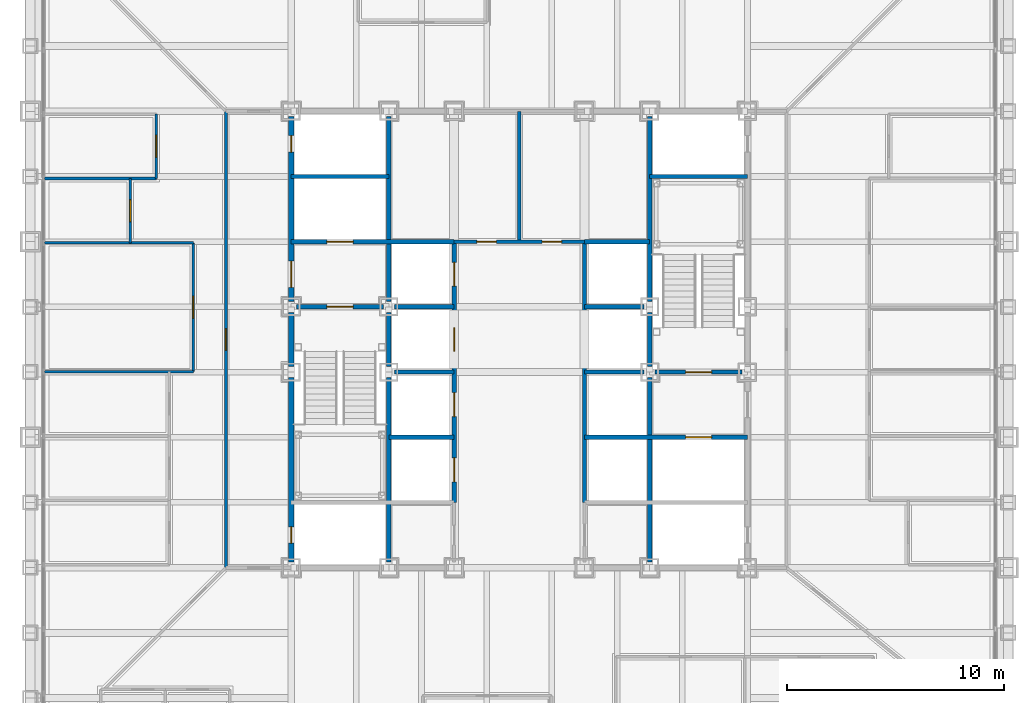
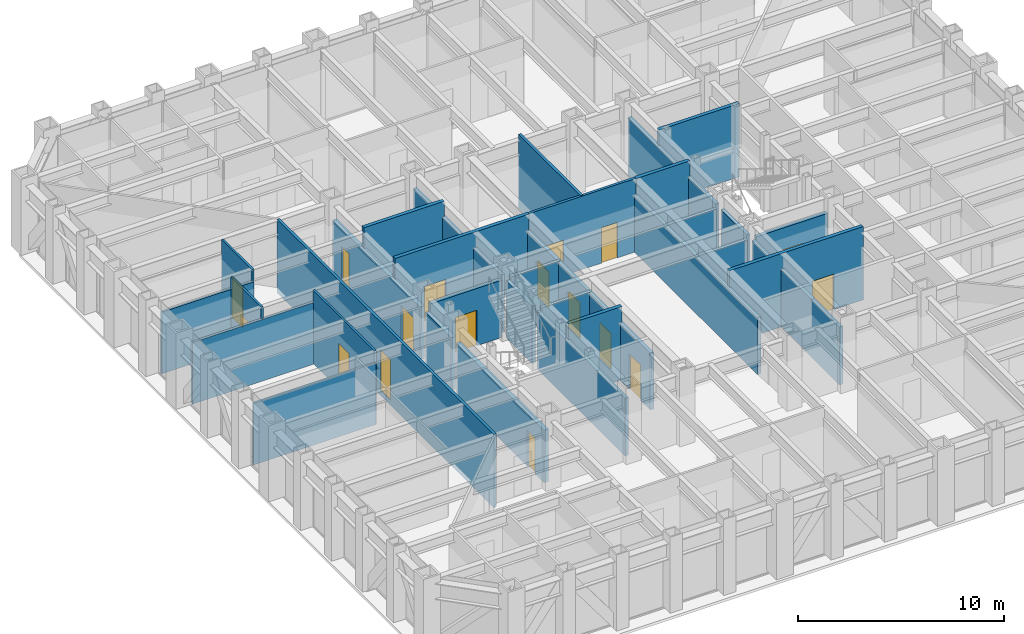
# One storey, part 9 of 17: 32 walls, 17 doors, 17 openings.
"""IFC4 building model written with IfcOpenShell, lengths in metres."""

from ifc_helpers import new_model, si_unit, direction, frame, frame_2d, origin, place, context, subcontext, project, spatial, rectangle, extrude, material, layer, layer_set, type_object, element, fill, save


model = new_model("IFC4")

# Units and contexts
model_context = context("Model", 3, precision=1e-05, world=origin(), true_north=direction((0.0, 1.0)))
body_context = subcontext(model_context, "Body", "Model", "MODEL_VIEW")
ifc_project = project(units=[si_unit("LENGTHUNIT", "METRE"), si_unit("AREAUNIT", "SQUARE_METRE"), si_unit("VOLUMEUNIT", "CUBIC_METRE"), si_unit("PLANEANGLEUNIT", "RADIAN"), si_unit("MASSUNIT", "GRAM", prefix="KILO")], contexts=[model_context])

# Site, building, storey
site_placement = place(None, origin())
site = spatial("IfcSite", under=ifc_project, at=site_placement, CompositionType="ELEMENT")
building_placement = place(site_placement, origin())
building = spatial("IfcBuilding", under=site, at=building_placement, Name="Chuquiago Exchange Tower", CompositionType="ELEMENT")
storey_placement = place(building_placement, frame((0.0, 0.0, 42.300048828125)))
storey = spatial("IfcBuildingStorey", under=building, at=storey_placement, Name="L08", CompositionType="ELEMENT", Elevation=42.300048828125)

# Wall, opening, door
ifc_material_1 = material(Name="Concrete masonry, fully grouted", Category="masonry")
ifc_layer_1 = layer(ifc_material_1, 0.25)
ifc_layer_set_1 = layer_set([ifc_layer_1], Name="W1 core wall 250")
wall_type_1 = type_object("IfcWallType", Name="W1 core wall 250", PredefinedType="SOLIDWALL", material=ifc_layer_set_1)
wall_1_placement = place(storey_placement, frame((12.0, 12.25, 0.0), z_axis=(0.0, 0.0, 1.0), x_axis=(0.0, 1.0, 0.0)))
wall_1 = element("IfcWall", 1, at=wall_1_placement, inside=storey, type_object=wall_type_1, Name="CW-L08-00-0", PredefinedType="SOLIDWALL", context=body_context, shape_type="SweptSolid", body=[
    extrude(rectangle(XDim=8.5, YDim=0.25, at=frame_2d((4.25, 0.0))), origin(), (0.0, 0.0, 1.0), 3.11279296875),
])
opening_1_placement = place(wall_1_placement, frame((0.875, 0.0, 0.0)))
opening_1 = element("IfcOpeningElement", 2, at=opening_1_placement, cuts=wall_1, Name="Opening L08-007", PredefinedType="OPENING", context=body_context, shape_type="SweptSolid", body=[
    extrude(rectangle(XDim=0.75, YDim=2.10009765625, at=frame_2d((0.375, 1.050048828125))), frame((0.0, 0.135009765625, 0.0), z_axis=(0.0, -1.0, 0.0), x_axis=(1.0, 0.0, 0.0)), (0.0, 0.0, 1.0), 0.27001953125),
])
ifc_material_2 = material(Name="Steel door, painted", Category="steel")
door_type_1 = type_object("IfcDoorType", Name="D6 riser access door 750x2100", OperationType="SINGLE_SWING_LEFT", PredefinedType="DOOR", material=ifc_material_2)
door_1_placement = place(opening_1_placement, origin())
door_1 = element("IfcDoor", 3, at=door_1_placement, inside=storey, type_object=door_type_1, Name="Riser RW1 door", OperationType="SINGLE_SWING_LEFT", OverallHeight=2.10009765625, OverallWidth=0.75, PredefinedType="DOOR", context=body_context, shape_type="SweptSolid", body=[
    extrude(rectangle(XDim=0.75, YDim=2.10009765625, at=frame_2d((0.375, 1.050048828125))), frame((0.0, 0.02490234375, 0.0), z_axis=(0.0, -1.0, 0.0), x_axis=(1.0, 0.0, 0.0)), (0.0, 0.0, 1.0), 0.050048828125),
])
fill(opening_1, door_1)

# Wall
wall_2_placement = place(storey_placement, frame((12.0, 21.25, 0.0), z_axis=(0.0, 0.0, 1.0), x_axis=(0.0, 1.0, 0.0)))
element("IfcWall", 4, at=wall_2_placement, inside=storey, type_object=wall_type_1, Name="CW-L08-00-1", PredefinedType="SOLIDWALL", context=body_context, shape_type="SweptSolid", body=[
    extrude(rectangle(XDim=2.5, YDim=0.25, at=frame_2d((1.25, 0.0))), origin(), (0.0, 0.0, 1.0), 3.11279296875),
])

# Wall, openings, doors
wall_3_placement = place(storey_placement, frame((12.0, 24.25, 0.0), z_axis=(0.0, 0.0, 1.0), x_axis=(0.0, 1.0, 0.0)))
wall_3 = element("IfcWall", 5, at=wall_3_placement, inside=storey, type_object=wall_type_1, Name="CW-L08-00-2", PredefinedType="SOLIDWALL", context=body_context, shape_type="SweptSolid", body=[
    extrude(rectangle(XDim=8.5, YDim=0.25, at=frame_2d((4.25, 0.0))), origin(), (0.0, 0.0, 1.0), 3.11279296875),
])
opening_2_placement = place(wall_3_placement, frame((0.64990234375, 0.0, 0.0)))
opening_2 = element("IfcOpeningElement", 6, at=opening_2_placement, cuts=wall_3, Name="Opening L08-002", PredefinedType="OPENING", context=body_context, shape_type="SweptSolid", body=[
    extrude(rectangle(XDim=1.199951171875, YDim=2.10009765625, at=frame_2d((0.60009765625, 1.050048828125))), frame((0.0, 0.135009765625, 0.0), z_axis=(0.0, -1.0, 0.0), x_axis=(1.0, 0.0, 0.0)), (0.0, 0.0, 1.0), 0.27001953125),
])
opening_3_placement = place(wall_3_placement, frame((6.875, 0.0, 0.0)))
opening_3 = element("IfcOpeningElement", 7, at=opening_3_placement, cuts=wall_3, Name="Opening L08-008", PredefinedType="OPENING", context=body_context, shape_type="SweptSolid", body=[
    extrude(rectangle(XDim=0.75, YDim=2.10009765625, at=frame_2d((0.375, 1.050048828125))), frame((0.0, 0.135009765625, 0.0), z_axis=(0.0, -1.0, 0.0), x_axis=(1.0, 0.0, 0.0)), (0.0, 0.0, 1.0), 0.27001953125),
])
ifc_material_3 = material(Name="Steel door, painted", Category="steel")
door_type_2 = type_object("IfcDoorType", Name="D5 firefighting lobby door 1200x2100", OperationType="SINGLE_SWING_LEFT", PredefinedType="DOOR", material=ifc_material_3)
door_2_placement = place(opening_2_placement, frame((1.199951171875, 0.0, 0.0), z_axis=(0.0, 0.0, 1.0), x_axis=(-1.0, 0.0, 0.0)))
door_2 = element("IfcDoor", 8, at=door_2_placement, inside=storey, type_object=door_type_2, Name="Firefighting lobby 1 door", OperationType="SINGLE_SWING_RIGHT", OverallHeight=2.10009765625, OverallWidth=1.199951171875, PredefinedType="DOOR", context=body_context, shape_type="SweptSolid", body=[
    extrude(rectangle(XDim=1.199951171875, YDim=2.10009765625, at=frame_2d((0.60009765625, 1.050048828125))), frame((0.0, 0.02490234375, 0.0), z_axis=(0.0, -1.0, 0.0), x_axis=(1.0, 0.0, 0.0)), (0.0, 0.0, 1.0), 0.050048828125),
])
fill(opening_2, door_2)
door_3_placement = place(opening_3_placement, origin())
door_3 = element("IfcDoor", 9, at=door_3_placement, inside=storey, type_object=door_type_1, Name="Riser RW2 door", OperationType="SINGLE_SWING_RIGHT", OverallHeight=2.10009765625, OverallWidth=0.75, PredefinedType="DOOR", context=body_context, shape_type="SweptSolid", body=[
    extrude(rectangle(XDim=0.75, YDim=2.10009765625, at=frame_2d((0.375, 1.050048828125))), frame((0.0, 0.02490234375, 0.0), z_axis=(0.0, -1.0, 0.0), x_axis=(1.0, 0.0, 0.0)), (0.0, 0.0, 1.0), 0.050048828125),
])
fill(opening_3, door_3)

# Wall, opening, door
ifc_material_4 = material(Name="Gypsum board on steel studs, acoustic insulation", Category="steel")
ifc_layer_2 = layer(ifc_material_4, 0.14990234375)
ifc_layer_set_2 = layer_set([ifc_layer_2], Name="W11 corridor wall 150")
wall_type_2 = type_object("IfcWallType", Name="W11 corridor wall 150", PredefinedType="PARTITIONING", material=ifc_layer_set_2)
wall_4_placement = place(storey_placement, frame((9.0, 12.0, -0.300048828125), z_axis=(0.0, 0.0, 1.0), x_axis=(0.0, 1.0, 0.0)))
wall_4 = element("IfcWall", 10, at=wall_4_placement, inside=storey, type_object=wall_type_2, Name="PW-L08-GW0", PredefinedType="PARTITIONING", context=body_context, shape_type="SweptSolid", body=[
    extrude(rectangle(XDim=21.0, YDim=0.14990234375, at=frame_2d((10.5, 0.0))), origin(), (0.0, 0.0, 1.0), 4.340087890625),
])
opening_4_placement = place(wall_4_placement, frame((10.0, 0.0, 0.300048828125)))
opening_4 = element("IfcOpeningElement", 11, at=opening_4_placement, cuts=wall_4, Name="Opening L08-050", PredefinedType="OPENING", context=body_context, shape_type="SweptSolid", body=[
    extrude(rectangle(XDim=1.0, YDim=2.39990234375, at=frame_2d((0.5, 1.199951171875))), frame((0.0, 0.0849609375, 0.0), z_axis=(0.0, -1.0, 0.0), x_axis=(1.0, 0.0, 0.0)), (0.0, 0.0, 1.0), 0.169921875),
])
ifc_material_5 = material(Name="Timber door, laminate faced", Category="wood")
door_type_3 = type_object("IfcDoorType", Name="D9 room door 1000x2400", OperationType="SINGLE_SWING_LEFT", PredefinedType="DOOR", material=ifc_material_5)
door_4_placement = place(opening_4_placement, origin())
door_4 = element("IfcDoor", 12, at=door_4_placement, inside=storey, type_object=door_type_3, Name="Team area door", OperationType="SINGLE_SWING_LEFT", OverallHeight=2.39990234375, OverallWidth=1.0, PredefinedType="DOOR", context=body_context, shape_type="SweptSolid", body=[
    extrude(rectangle(XDim=1.0, YDim=2.39990234375, at=frame_2d((0.5, 1.199951171875))), frame((0.0, 0.02490234375, 0.0), z_axis=(0.0, -1.0, 0.0), x_axis=(1.0, 0.0, 0.0)), (0.0, 0.0, 1.0), 0.050048828125),
])
fill(opening_4, door_4)

ifc_material_6 = material(Name="Concrete masonry, fully grouted", Category="masonry")
ifc_layer_3 = layer(ifc_material_6, 0.199951171875)
ifc_layer_set_3 = layer_set([ifc_layer_3], Name="W2 shaft wall 200")
wall_type_3 = type_object("IfcWallType", Name="W2 shaft wall 200", PredefinedType="SOLIDWALL", material=ifc_layer_set_3)
wall_5_placement = place(storey_placement, frame((12.25, 24.0, 0.0), z_axis=(0.0, 0.0, 1.0), x_axis=(1.0, 0.0, 0.0)))
wall_5 = element("IfcWall", 13, at=wall_5_placement, inside=storey, type_object=wall_type_3, Name="CW-L08-05-0", PredefinedType="SOLIDWALL", context=body_context, shape_type="SweptSolid", body=[
    extrude(rectangle(XDim=4.0, YDim=0.199951171875, at=frame_2d((2.0, 0.0))), origin(), (0.0, 0.0, 1.0), 3.389892578125),
])
opening_5_placement = place(wall_5_placement, frame((1.39990234375, 0.0, 0.0)))
opening_5 = element("IfcOpeningElement", 14, at=opening_5_placement, cuts=wall_5, Name="Opening L08-001", PredefinedType="OPENING", context=body_context, shape_type="SweptSolid", body=[
    extrude(rectangle(XDim=1.199951171875, YDim=2.10009765625, at=frame_2d((0.60009765625, 1.050048828125))), frame((0.0, 0.10986328125, 0.0), z_axis=(0.0, -1.0, 0.0), x_axis=(1.0, 0.0, 0.0)), (0.0, 0.0, 1.0), 0.219970703125),
])
ifc_material_7 = material(Name="Steel door, painted", Category="steel")
door_type_4 = type_object("IfcDoorType", Name="D4 stair door 1200x2100", OperationType="SINGLE_SWING_LEFT", PredefinedType="DOOR", material=ifc_material_7)
door_5_placement = place(opening_5_placement, frame((1.199951171875, 0.0, 0.0), z_axis=(0.0, 0.0, 1.0), x_axis=(-1.0, 0.0, 0.0)))
door_5 = element("IfcDoor", 15, at=door_5_placement, inside=storey, type_object=door_type_4, Name="Stair ST1 door", OperationType="SINGLE_SWING_RIGHT", OverallHeight=2.10009765625, OverallWidth=1.199951171875, PredefinedType="DOOR", context=body_context, shape_type="SweptSolid", body=[
    extrude(rectangle(XDim=1.199951171875, YDim=2.10009765625, at=frame_2d((0.60009765625, 1.050048828125))), frame((0.0, 0.02490234375, 0.0), z_axis=(0.0, -1.0, 0.0), x_axis=(1.0, 0.0, 0.0)), (0.0, 0.0, 1.0), 0.050048828125),
])
fill(opening_5, door_5)

# Walls
for number, where, z_axis, x_axis, name in (
    (16, (16.75, 24.0, 0.0), (0.0, 0.0, 1.0), (1.0, 0.0, 0.0), "CW-L08-05-1"),
    (17, (25.5, 24.0, 0.0), (0.0, 0.0, 1.0), (1.0, 0.0, 0.0), "CW-L08-06-0"),
):
    element("IfcWall", number, at=place(storey_placement, frame(where, z_axis=z_axis, x_axis=x_axis)), inside=storey, type_object=wall_type_3, Name=name, PredefinedType="SOLIDWALL", context=body_context, shape_type="SweptSolid", body=[
        extrude(rectangle(XDim=2.75, YDim=0.199951171875, at=frame_2d((1.375, 0.0))), origin(), (0.0, 0.0, 1.0), 3.389892578125),
    ])

# Wall, opening, door
wall_6_placement = place(storey_placement, frame((12.0, 27.0, 0.0), z_axis=(0.0, 0.0, 1.0), x_axis=(1.0, 0.0, 0.0)))
wall_6 = element("IfcWall", 18, at=wall_6_placement, inside=storey, type_object=wall_type_3, Name="CW-L08-07-0", PredefinedType="SOLIDWALL", context=body_context, shape_type="SweptSolid", body=[
    extrude(rectangle(XDim=7.5, YDim=0.199951171875, at=frame_2d((3.75, 0.0))), origin(), (0.0, 0.0, 1.0), 4.33984375),
])
opening_6_placement = place(wall_6_placement, frame((1.64990234375, 0.0, 0.0)))
opening_6 = element("IfcOpeningElement", 19, at=opening_6_placement, cuts=wall_6, Name="Opening L08-005", PredefinedType="OPENING", context=body_context, shape_type="SweptSolid", body=[
    extrude(rectangle(XDim=1.199951171875, YDim=2.10009765625, at=frame_2d((0.60009765625, 1.050048828125))), frame((0.0, 0.10986328125, 0.0), z_axis=(0.0, -1.0, 0.0), x_axis=(1.0, 0.0, 0.0)), (0.0, 0.0, 1.0), 0.219970703125),
])
ifc_material_8 = material(Name="Stainless steel lift landing door", Category="steel")
door_type_5 = type_object("IfcDoorType", Name="LD2 firefighting lift landing door 1200x2100", OperationType="DOUBLE_DOOR_SLIDING", PredefinedType="DOOR", material=ifc_material_8)
door_6_placement = place(opening_6_placement, origin())
door_6 = element("IfcDoor", 20, at=door_6_placement, inside=storey, type_object=door_type_5, Name="Firefighting lift FL1 landing door", OperationType="DOUBLE_DOOR_SLIDING", OverallHeight=2.10009765625, OverallWidth=1.199951171875, PredefinedType="DOOR", context=body_context, shape_type="SweptSolid", body=[
    extrude(rectangle(XDim=1.199951171875, YDim=2.10009765625, at=frame_2d((0.60009765625, 1.050048828125))), frame((0.0, 0.02490234375, 0.0), z_axis=(0.0, -1.0, 0.0), x_axis=(1.0, 0.0, 0.0)), (0.0, 0.0, 1.0), 0.050048828125),
])
fill(opening_6, door_6)

# Walls
wall_7_placement = place(storey_placement, frame((25.5, 27.0, 0.0), z_axis=(0.0, 0.0, 1.0), x_axis=(1.0, 0.0, 0.0)))
element("IfcWall", 21, at=wall_7_placement, inside=storey, type_object=wall_type_3, Name="CW-L08-08-0", PredefinedType="SOLIDWALL", context=body_context, shape_type="SweptSolid", body=[
    extrude(rectangle(XDim=3.0, YDim=0.199951171875, at=frame_2d((1.5, 0.0))), origin(), (0.0, 0.0, 1.0), 4.33984375),
])
for number, where, z_axis, x_axis, name in (
    (22, (12.0, 30.0, 0.0), (0.0, 0.0, 1.0), (1.0, 0.0, 0.0), "CW-L08-09-0"),
    (23, (28.5, 30.0, 0.0), (0.0, 0.0, 1.0), (1.0, 0.0, 0.0), "CW-L08-10-0"),
):
    element("IfcWall", number, at=place(storey_placement, frame(where, z_axis=z_axis, x_axis=x_axis)), inside=storey, type_object=wall_type_3, Name=name, PredefinedType="SOLIDWALL", context=body_context, shape_type="SweptSolid", body=[
        extrude(rectangle(XDim=4.5, YDim=0.199951171875, at=frame_2d((2.25, 0.0))), origin(), (0.0, 0.0, 1.0), 4.33984375),
    ])
wall_8_placement = place(storey_placement, frame((16.5, 12.25, 0.0), z_axis=(0.0, 0.0, 1.0), x_axis=(0.0, 1.0, 0.0)))
element("IfcWall", 24, at=wall_8_placement, inside=storey, type_object=wall_type_3, Name="CW-L08-13-0", PredefinedType="SOLIDWALL", context=body_context, shape_type="SweptSolid", body=[
    extrude(rectangle(XDim=8.5, YDim=0.199951171875, at=frame_2d((4.25, 0.0))), origin(), (0.0, 0.0, 1.0), 3.412841796875),
])
wall_9_placement = place(storey_placement, frame((16.5, 21.25, 0.0), z_axis=(0.0, 0.0, 1.0), x_axis=(0.0, 1.0, 0.0)))
element("IfcWall", 25, at=wall_9_placement, inside=storey, type_object=wall_type_3, Name="CW-L08-13-1", PredefinedType="SOLIDWALL", context=body_context, shape_type="SweptSolid", body=[
    extrude(rectangle(XDim=2.5, YDim=0.199951171875, at=frame_2d((1.25, 0.0))), origin(), (0.0, 0.0, 1.0), 3.412841796875),
])
wall_10_placement = place(storey_placement, frame((16.5, 24.25, 0.0), z_axis=(0.0, 0.0, 1.0), x_axis=(0.0, 1.0, 0.0)))
element("IfcWall", 26, at=wall_10_placement, inside=storey, type_object=wall_type_3, Name="CW-L08-13-2", PredefinedType="SOLIDWALL", context=body_context, shape_type="SweptSolid", body=[
    extrude(rectangle(XDim=8.5, YDim=0.199951171875, at=frame_2d((4.25, 0.0))), origin(), (0.0, 0.0, 1.0), 3.412841796875),
])
wall_11_placement = place(storey_placement, frame((16.5, 18.0, 0.0), z_axis=(0.0, 0.0, 1.0), x_axis=(1.0, 0.0, 0.0)))
element("IfcWall", 27, at=wall_11_placement, inside=storey, type_object=wall_type_3, Name="CW-L08-14-0", PredefinedType="SOLIDWALL", context=body_context, shape_type="SweptSolid", body=[
    extrude(rectangle(XDim=3.0, YDim=0.199951171875, at=frame_2d((1.5, 0.0))), origin(), (0.0, 0.0, 1.0), 4.33984375),
])

# Wall, opening, door
wall_12_placement = place(storey_placement, frame((25.5, 18.0, 0.0), z_axis=(0.0, 0.0, 1.0), x_axis=(1.0, 0.0, 0.0)))
wall_12 = element("IfcWall", 28, at=wall_12_placement, inside=storey, type_object=wall_type_3, Name="CW-L08-15-0", PredefinedType="SOLIDWALL", context=body_context, shape_type="SweptSolid", body=[
    extrude(rectangle(XDim=7.5, YDim=0.199951171875, at=frame_2d((3.75, 0.0))), origin(), (0.0, 0.0, 1.0), 4.33984375),
])
opening_7_placement = place(wall_12_placement, frame((4.64990234375, 0.0, 0.0)))
opening_7 = element("IfcOpeningElement", 29, at=opening_7_placement, cuts=wall_12, Name="Opening L08-006", PredefinedType="OPENING", context=body_context, shape_type="SweptSolid", body=[
    extrude(rectangle(XDim=1.199951171875, YDim=2.10009765625, at=frame_2d((0.60009765625, 1.050048828125))), frame((0.0, 0.10986328125, 0.0), z_axis=(0.0, -1.0, 0.0), x_axis=(1.0, 0.0, 0.0)), (0.0, 0.0, 1.0), 0.219970703125),
])
door_7_placement = place(opening_7_placement, origin())
door_7 = element("IfcDoor", 30, at=door_7_placement, inside=storey, type_object=door_type_5, Name="Firefighting lift FL2 landing door", OperationType="DOUBLE_DOOR_SLIDING", OverallHeight=2.10009765625, OverallWidth=1.199951171875, PredefinedType="DOOR", context=body_context, shape_type="SweptSolid", body=[
    extrude(rectangle(XDim=1.199951171875, YDim=2.10009765625, at=frame_2d((0.60009765625, 1.050048828125))), frame((0.0, 0.02490234375, 0.0), z_axis=(0.0, -1.0, 0.0), x_axis=(1.0, 0.0, 0.0)), (0.0, 0.0, 1.0), 0.050048828125),
])
fill(opening_7, door_7)

# Walls
for number, where, z_axis, x_axis, name in (
    (31, (16.75, 21.0, 0.0), (0.0, 0.0, 1.0), (1.0, 0.0, 0.0), "CW-L08-16-0"),
    (32, (25.5, 21.0, 0.0), (0.0, 0.0, 1.0), (1.0, 0.0, 0.0), "CW-L08-17-0"),
):
    element("IfcWall", number, at=place(storey_placement, frame(where, z_axis=z_axis, x_axis=x_axis)), inside=storey, type_object=wall_type_3, Name=name, PredefinedType="SOLIDWALL", context=body_context, shape_type="SweptSolid", body=[
        extrude(rectangle(XDim=2.75, YDim=0.199951171875, at=frame_2d((1.375, 0.0))), origin(), (0.0, 0.0, 1.0), 3.389892578125),
    ])

# Wall, opening, door
wall_13_placement = place(storey_placement, frame((28.75, 21.0, 0.0), z_axis=(0.0, 0.0, 1.0), x_axis=(1.0, 0.0, 0.0)))
wall_13 = element("IfcWall", 33, at=wall_13_placement, inside=storey, type_object=wall_type_3, Name="CW-L08-17-1", PredefinedType="SOLIDWALL", context=body_context, shape_type="SweptSolid", body=[
    extrude(rectangle(XDim=4.0, YDim=0.199951171875, at=frame_2d((2.0, 0.0))), origin(), (0.0, 0.0, 1.0), 3.389892578125),
])
opening_8_placement = place(wall_13_placement, frame((1.39990234375, 0.0, 0.0)))
opening_8 = element("IfcOpeningElement", 34, at=opening_8_placement, cuts=wall_13, Name="Opening L08-003", PredefinedType="OPENING", context=body_context, shape_type="SweptSolid", body=[
    extrude(rectangle(XDim=1.199951171875, YDim=2.10009765625, at=frame_2d((0.60009765625, 1.050048828125))), frame((0.0, 0.10986328125, 0.0), z_axis=(0.0, -1.0, 0.0), x_axis=(1.0, 0.0, 0.0)), (0.0, 0.0, 1.0), 0.219970703125),
])
door_8_placement = place(opening_8_placement, origin())
door_8 = element("IfcDoor", 35, at=door_8_placement, inside=storey, type_object=door_type_4, Name="Stair ST2 door", OperationType="SINGLE_SWING_LEFT", OverallHeight=2.10009765625, OverallWidth=1.199951171875, PredefinedType="DOOR", context=body_context, shape_type="SweptSolid", body=[
    extrude(rectangle(XDim=1.199951171875, YDim=2.10009765625, at=frame_2d((0.60009765625, 1.050048828125))), frame((0.0, 0.02490234375, 0.0), z_axis=(0.0, -1.0, 0.0), x_axis=(1.0, 0.0, 0.0)), (0.0, 0.0, 1.0), 0.050048828125),
])
fill(opening_8, door_8)

# Wall, openings, doors
wall_14_placement = place(storey_placement, frame((19.5, 15.0, 0.0), z_axis=(0.0, 0.0, 1.0), x_axis=(0.0, 1.0, 0.0)))
wall_14 = element("IfcWall", 36, at=wall_14_placement, inside=storey, type_object=wall_type_3, Name="CW-L08-19-0", PredefinedType="SOLIDWALL", context=body_context, shape_type="SweptSolid", body=[
    extrude(rectangle(XDim=12.0, YDim=0.199951171875, at=frame_2d((6.0, 0.0))), origin(), (0.0, 0.0, 1.0), 3.364501953125),
])
opening_9_placement = place(wall_14_placement, frame((0.949951171875, 0.0, 0.0)))
opening_9 = element("IfcOpeningElement", 37, at=opening_9_placement, cuts=wall_14, Name="Opening L08-015", PredefinedType="OPENING", context=body_context, shape_type="SweptSolid", body=[
    extrude(rectangle(XDim=1.10009765625, YDim=2.10009765625, at=frame_2d((0.550048828125, 1.050048828125))), frame((0.0, 0.10986328125, 0.0), z_axis=(0.0, -1.0, 0.0), x_axis=(1.0, 0.0, 0.0)), (0.0, 0.0, 1.0), 0.219970703125),
])
opening_10_placement = place(wall_14_placement, frame((3.949951171875, 0.0, 0.0)))
opening_10 = element("IfcOpeningElement", 38, at=opening_10_placement, cuts=wall_14, Name="Opening L08-016", PredefinedType="OPENING", context=body_context, shape_type="SweptSolid", body=[
    extrude(rectangle(XDim=1.10009765625, YDim=2.10009765625, at=frame_2d((0.550048828125, 1.050048828125))), frame((0.0, 0.10986328125, 0.0), z_axis=(0.0, -1.0, 0.0), x_axis=(1.0, 0.0, 0.0)), (0.0, 0.0, 1.0), 0.219970703125),
])
opening_11_placement = place(wall_14_placement, frame((6.949951171875, 0.0, 0.0)))
opening_11 = element("IfcOpeningElement", 39, at=opening_11_placement, cuts=wall_14, Name="Opening L08-017", PredefinedType="OPENING", context=body_context, shape_type="SweptSolid", body=[
    extrude(rectangle(XDim=1.10009765625, YDim=2.10009765625, at=frame_2d((0.550048828125, 1.050048828125))), frame((0.0, 0.10986328125, 0.0), z_axis=(0.0, -1.0, 0.0), x_axis=(1.0, 0.0, 0.0)), (0.0, 0.0, 1.0), 0.219970703125),
])
opening_12_placement = place(wall_14_placement, frame((9.949951171875, 0.0, 0.0)))
opening_12 = element("IfcOpeningElement", 40, at=opening_12_placement, cuts=wall_14, Name="Opening L08-018", PredefinedType="OPENING", context=body_context, shape_type="SweptSolid", body=[
    extrude(rectangle(XDim=1.10009765625, YDim=2.10009765625, at=frame_2d((0.550048828125, 1.050048828125))), frame((0.0, 0.10986328125, 0.0), z_axis=(0.0, -1.0, 0.0), x_axis=(1.0, 0.0, 0.0)), (0.0, 0.0, 1.0), 0.219970703125),
])
ifc_material_9 = material(Name="Stainless steel lift landing door", Category="steel")
door_type_6 = type_object("IfcDoorType", Name="LD1 lift landing door 1100x2100", OperationType="DOUBLE_DOOR_SLIDING", PredefinedType="DOOR", material=ifc_material_9)
door_9_placement = place(opening_9_placement, origin())
door_9 = element("IfcDoor", 41, at=door_9_placement, inside=storey, type_object=door_type_6, Name="Lift LA1 landing door", OperationType="DOUBLE_DOOR_SLIDING", OverallHeight=2.10009765625, OverallWidth=1.10009765625, PredefinedType="DOOR", context=body_context, shape_type="SweptSolid", body=[
    extrude(rectangle(XDim=1.10009765625, YDim=2.10009765625, at=frame_2d((0.550048828125, 1.050048828125))), frame((0.0, 0.02490234375, 0.0), z_axis=(0.0, -1.0, 0.0), x_axis=(1.0, 0.0, 0.0)), (0.0, 0.0, 1.0), 0.050048828125),
])
fill(opening_9, door_9)
door_10_placement = place(opening_10_placement, origin())
door_10 = element("IfcDoor", 42, at=door_10_placement, inside=storey, type_object=door_type_6, Name="Lift LA2 landing door", OperationType="DOUBLE_DOOR_SLIDING", OverallHeight=2.10009765625, OverallWidth=1.10009765625, PredefinedType="DOOR", context=body_context, shape_type="SweptSolid", body=[
    extrude(rectangle(XDim=1.10009765625, YDim=2.10009765625, at=frame_2d((0.550048828125, 1.050048828125))), frame((0.0, 0.02490234375, 0.0), z_axis=(0.0, -1.0, 0.0), x_axis=(1.0, 0.0, 0.0)), (0.0, 0.0, 1.0), 0.050048828125),
])
fill(opening_10, door_10)
door_11_placement = place(opening_11_placement, origin())
door_11 = element("IfcDoor", 43, at=door_11_placement, inside=storey, type_object=door_type_6, Name="Lift LA3 landing door", OperationType="DOUBLE_DOOR_SLIDING", OverallHeight=2.10009765625, OverallWidth=1.10009765625, PredefinedType="DOOR", context=body_context, shape_type="SweptSolid", body=[
    extrude(rectangle(XDim=1.10009765625, YDim=2.10009765625, at=frame_2d((0.550048828125, 1.050048828125))), frame((0.0, 0.02490234375, 0.0), z_axis=(0.0, -1.0, 0.0), x_axis=(1.0, 0.0, 0.0)), (0.0, 0.0, 1.0), 0.050048828125),
])
fill(opening_11, door_11)
door_12_placement = place(opening_12_placement, origin())
door_12 = element("IfcDoor", 44, at=door_12_placement, inside=storey, type_object=door_type_6, Name="Lift LA4 landing door", OperationType="DOUBLE_DOOR_SLIDING", OverallHeight=2.10009765625, OverallWidth=1.10009765625, PredefinedType="DOOR", context=body_context, shape_type="SweptSolid", body=[
    extrude(rectangle(XDim=1.10009765625, YDim=2.10009765625, at=frame_2d((0.550048828125, 1.050048828125))), frame((0.0, 0.02490234375, 0.0), z_axis=(0.0, -1.0, 0.0), x_axis=(1.0, 0.0, 0.0)), (0.0, 0.0, 1.0), 0.050048828125),
])
fill(opening_12, door_12)

# Walls
wall_15_placement = place(storey_placement, frame((25.5, 15.0, 0.0), z_axis=(0.0, 0.0, 1.0), x_axis=(0.0, 1.0, 0.0)))
element("IfcWall", 45, at=wall_15_placement, inside=storey, type_object=wall_type_3, Name="CW-L08-22-0", PredefinedType="SOLIDWALL", context=body_context, shape_type="SweptSolid", body=[
    extrude(rectangle(XDim=12.0, YDim=0.199951171875, at=frame_2d((6.0, 0.0))), origin(), (0.0, 0.0, 1.0), 3.364501953125),
])
wall_16_placement = place(storey_placement, frame((28.5, 12.25, 0.0), z_axis=(0.0, 0.0, 1.0), x_axis=(0.0, 1.0, 0.0)))
element("IfcWall", 46, at=wall_16_placement, inside=storey, type_object=wall_type_3, Name="CW-L08-24-0", PredefinedType="SOLIDWALL", context=body_context, shape_type="SweptSolid", body=[
    extrude(rectangle(XDim=8.5, YDim=0.199951171875, at=frame_2d((4.25, 0.0))), origin(), (0.0, 0.0, 1.0), 3.412841796875),
])
wall_17_placement = place(storey_placement, frame((28.5, 21.25, 0.0), z_axis=(0.0, 0.0, 1.0), x_axis=(0.0, 1.0, 0.0)))
element("IfcWall", 47, at=wall_17_placement, inside=storey, type_object=wall_type_3, Name="CW-L08-24-1", PredefinedType="SOLIDWALL", context=body_context, shape_type="SweptSolid", body=[
    extrude(rectangle(XDim=2.5, YDim=0.199951171875, at=frame_2d((1.25, 0.0))), origin(), (0.0, 0.0, 1.0), 3.412841796875),
])
wall_18_placement = place(storey_placement, frame((28.5, 24.25, 0.0), z_axis=(0.0, 0.0, 1.0), x_axis=(0.0, 1.0, 0.0)))
element("IfcWall", 48, at=wall_18_placement, inside=storey, type_object=wall_type_3, Name="CW-L08-24-2", PredefinedType="SOLIDWALL", context=body_context, shape_type="SweptSolid", body=[
    extrude(rectangle(XDim=8.5, YDim=0.199951171875, at=frame_2d((4.25, 0.0))), origin(), (0.0, 0.0, 1.0), 3.412841796875),
])

# Wall, openings, doors
ifc_material_10 = material(Name="Gypsum board on steel studs", Category="steel")
ifc_layer_4 = layer(ifc_material_10, 0.14990234375)
ifc_layer_set_4 = layer_set([ifc_layer_4], Name="W3 core partition 150")
wall_type_4 = type_object("IfcWallType", Name="W3 core partition 150", PredefinedType="PARTITIONING", material=ifc_layer_set_4)
wall_19_placement = place(storey_placement, frame((19.5, 27.0, 0.0), z_axis=(0.0, 0.0, 1.0), x_axis=(1.0, 0.0, 0.0)))
wall_19 = element("IfcWall", 49, at=wall_19_placement, inside=storey, type_object=wall_type_4, Name="CW-L08-TF", PredefinedType="PARTITIONING", context=body_context, shape_type="SweptSolid", body=[
    extrude(rectangle(XDim=6.0, YDim=0.14990234375, at=frame_2d((3.0, 0.0))), origin(), (0.0, 0.0, 1.0), 4.33984375),
])
opening_13_placement = place(wall_19_placement, frame((1.050048828125, 0.0, 0.0)))
opening_13 = element("IfcOpeningElement", 50, at=opening_13_placement, cuts=wall_19, Name="Opening L08-011", PredefinedType="OPENING", context=body_context, shape_type="SweptSolid", body=[
    extrude(rectangle(XDim=0.89990234375, YDim=2.10009765625, at=frame_2d((0.449951171875, 1.050048828125))), frame((0.0, 0.0849609375, 0.0), z_axis=(0.0, -1.0, 0.0), x_axis=(1.0, 0.0, 0.0)), (0.0, 0.0, 1.0), 0.169921875),
])
opening_14_placement = place(wall_19_placement, frame((4.050048828125, 0.0, 0.0)))
opening_14 = element("IfcOpeningElement", 51, at=opening_14_placement, cuts=wall_19, Name="Opening L08-012", PredefinedType="OPENING", context=body_context, shape_type="SweptSolid", body=[
    extrude(rectangle(XDim=0.89990234375, YDim=2.10009765625, at=frame_2d((0.449951171875, 1.050048828125))), frame((0.0, 0.0849609375, 0.0), z_axis=(0.0, -1.0, 0.0), x_axis=(1.0, 0.0, 0.0)), (0.0, 0.0, 1.0), 0.169921875),
])
ifc_material_11 = material(Name="Timber door, laminate faced", Category="wood")
door_type_7 = type_object("IfcDoorType", Name="D7 toilet door 900x2100", OperationType="SINGLE_SWING_LEFT", PredefinedType="DOOR", material=ifc_material_11)
door_13_placement = place(opening_13_placement, origin())
door_13 = element("IfcDoor", 52, at=door_13_placement, inside=storey, type_object=door_type_7, Name="Male WC door", OperationType="SINGLE_SWING_RIGHT", OverallHeight=2.10009765625, OverallWidth=0.89990234375, PredefinedType="DOOR", context=body_context, shape_type="SweptSolid", body=[
    extrude(rectangle(XDim=0.89990234375, YDim=2.10009765625, at=frame_2d((0.449951171875, 1.050048828125))), frame((0.0, 0.02490234375, 0.0), z_axis=(0.0, -1.0, 0.0), x_axis=(1.0, 0.0, 0.0)), (0.0, 0.0, 1.0), 0.050048828125),
])
fill(opening_13, door_13)
door_14_placement = place(opening_14_placement, origin())
door_14 = element("IfcDoor", 53, at=door_14_placement, inside=storey, type_object=door_type_7, Name="Female WC door", OperationType="SINGLE_SWING_LEFT", OverallHeight=2.10009765625, OverallWidth=0.89990234375, PredefinedType="DOOR", context=body_context, shape_type="SweptSolid", body=[
    extrude(rectangle(XDim=0.89990234375, YDim=2.10009765625, at=frame_2d((0.449951171875, 1.050048828125))), frame((0.0, 0.02490234375, 0.0), z_axis=(0.0, -1.0, 0.0), x_axis=(1.0, 0.0, 0.0)), (0.0, 0.0, 1.0), 0.050048828125),
])
fill(opening_14, door_14)

# Walls
wall_20_placement = place(storey_placement, frame((22.5, 27.0, 0.0), z_axis=(0.0, 0.0, 1.0), x_axis=(0.0, 1.0, 0.0)))
element("IfcWall", 54, at=wall_20_placement, inside=storey, type_object=wall_type_4, Name="CW-L08-TM", PredefinedType="PARTITIONING", context=body_context, shape_type="SweptSolid", body=[
    extrude(rectangle(XDim=6.0, YDim=0.14990234375, at=frame_2d((3.0, 0.0))), origin(), (0.0, 0.0, 1.0), 4.33984375),
])
ifc_material_12 = material(Name="Gypsum board on steel studs", Category="steel")
ifc_layer_5 = layer(ifc_material_12, 0.1201171875)
ifc_layer_set_5 = layer_set([ifc_layer_5], Name="W4 partition 120")
wall_type_5 = type_object("IfcWallType", Name="W4 partition 120", PredefinedType="PARTITIONING", material=ifc_layer_set_5)
for number, where, z_axis, x_axis, name in (
    (55, (0.657470703125, 21.01904296875, -0.300048828125), (0.0, 0.0, 1.0), (1.0, 0.0, 0.0), "PW-L08-W02102"),
    (56, (0.657470703125, 26.942626953125, -0.300048828125), (0.0, 0.0, 1.0), (1.0, 0.0, 0.0), "PW-L08-W02694"),
):
    element("IfcWall", number, at=place(storey_placement, frame(where, z_axis=z_axis, x_axis=x_axis)), inside=storey, type_object=wall_type_5, Name=name, PredefinedType="PARTITIONING", context=body_context, shape_type="SweptSolid", body=[
        extrude(rectangle(XDim=6.842529296875, YDim=0.1201171875, at=frame_2d((3.42138671875, 0.0))), origin(), (0.0, 0.0, 1.0), 3.646484375),
    ])
wall_21_placement = place(storey_placement, frame((0.657470703125, 29.904296875, -0.300048828125), z_axis=(0.0, 0.0, 1.0), x_axis=(1.0, 0.0, 0.0)))
element("IfcWall", 57, at=wall_21_placement, inside=storey, type_object=wall_type_5, Name="PW-L08-W02990", PredefinedType="PARTITIONING", context=body_context, shape_type="SweptSolid", body=[
    extrude(rectangle(XDim=5.142578125, YDim=0.1201171875, at=frame_2d((2.5712890625, 0.0))), origin(), (0.0, 0.0, 1.0), 3.646484375),
])

# Wall, opening, door
wall_22_placement = place(storey_placement, frame((7.5, 21.01904296875, -0.300048828125), z_axis=(0.0, 0.0, 1.0), x_axis=(0.0, 1.0, 0.0)))
wall_22 = element("IfcWall", 58, at=wall_22_placement, inside=storey, type_object=wall_type_5, Name="PW-L08-WF02102", PredefinedType="PARTITIONING", context=body_context, shape_type="SweptSolid", body=[
    extrude(rectangle(XDim=5.923583984375, YDim=0.1201171875, at=frame_2d((2.9619140625, 0.0))), origin(), (0.0, 0.0, 1.0), 4.340087890625),
])
opening_15_placement = place(wall_22_placement, frame((2.461669921875, 0.0, 0.300048828125)))
opening_15 = element("IfcOpeningElement", 59, at=opening_15_placement, cuts=wall_22, Name="Opening L08-047", PredefinedType="OPENING", context=body_context, shape_type="SweptSolid", body=[
    extrude(rectangle(XDim=1.0, YDim=2.39990234375, at=frame_2d((0.5, 1.199951171875))), frame((0.0, 0.070068359375, 0.0), z_axis=(0.0, -1.0, 0.0), x_axis=(1.0, 0.0, 0.0)), (0.0, 0.0, 1.0), 0.14013671875),
])
ifc_material_13 = material(Name="Timber frame door, full height glazed panel", Category="wood")
door_type_8 = type_object("IfcDoorType", Name="D14 glazed meeting room door 1000x2400", OperationType="SINGLE_SWING_LEFT", PredefinedType="DOOR", material=ifc_material_13)
door_15_placement = place(opening_15_placement, origin())
door_15 = element("IfcDoor", 60, at=door_15_placement, inside=storey, type_object=door_type_8, Name="Conference room door", OperationType="SINGLE_SWING_LEFT", OverallHeight=2.39990234375, OverallWidth=1.0, PredefinedType="DOOR", context=body_context, shape_type="SweptSolid", body=[
    extrude(rectangle(XDim=1.0, YDim=2.39990234375, at=frame_2d((0.5, 1.199951171875))), frame((0.0, 0.02490234375, 0.0), z_axis=(0.0, -1.0, 0.0), x_axis=(1.0, 0.0, 0.0)), (0.0, 0.0, 1.0), 0.050048828125),
])
fill(opening_15, door_15)

wall_23_placement = place(storey_placement, frame((4.60009765625, 26.942626953125, -0.300048828125), z_axis=(0.0, 0.0, 1.0), x_axis=(0.0, 1.0, 0.0)))
wall_23 = element("IfcWall", 61, at=wall_23_placement, inside=storey, type_object=wall_type_5, Name="PW-L08-WF02694", PredefinedType="PARTITIONING", context=body_context, shape_type="SweptSolid", body=[
    extrude(rectangle(XDim=2.961669921875, YDim=0.1201171875, at=frame_2d((1.48095703125, 0.0))), origin(), (0.0, 0.0, 1.0), 4.340087890625),
])
opening_16_placement = place(wall_23_placement, frame((0.98095703125, 0.0, 0.300048828125)))
opening_16 = element("IfcOpeningElement", 62, at=opening_16_placement, cuts=wall_23, Name="Opening L08-048", PredefinedType="OPENING", context=body_context, shape_type="SweptSolid", body=[
    extrude(rectangle(XDim=1.0, YDim=2.39990234375, at=frame_2d((0.5, 1.199951171875))), frame((0.0, 0.070068359375, 0.0), z_axis=(0.0, -1.0, 0.0), x_axis=(1.0, 0.0, 0.0)), (0.0, 0.0, 1.0), 0.14013671875),
])
door_16_placement = place(opening_16_placement, origin())
door_16 = element("IfcDoor", 63, at=door_16_placement, inside=storey, type_object=door_type_8, Name="Focus room door", OperationType="SINGLE_SWING_LEFT", OverallHeight=2.39990234375, OverallWidth=1.0, PredefinedType="DOOR", context=body_context, shape_type="SweptSolid", body=[
    extrude(rectangle(XDim=1.0, YDim=2.39990234375, at=frame_2d((0.5, 1.199951171875))), frame((0.0, 0.02490234375, 0.0), z_axis=(0.0, -1.0, 0.0), x_axis=(1.0, 0.0, 0.0)), (0.0, 0.0, 1.0), 0.050048828125),
])
fill(opening_16, door_16)

wall_24_placement = place(storey_placement, frame((5.800048828125, 29.904296875, -0.300048828125), z_axis=(0.0, 0.0, 1.0), x_axis=(0.0, 1.0, 0.0)))
wall_24 = element("IfcWall", 64, at=wall_24_placement, inside=storey, type_object=wall_type_5, Name="PW-L08-WF02990", PredefinedType="PARTITIONING", context=body_context, shape_type="SweptSolid", body=[
    extrude(rectangle(XDim=2.9619140625, YDim=0.1201171875, at=frame_2d((1.48095703125, 0.0))), origin(), (0.0, 0.0, 1.0), 4.340087890625),
])
opening_17_placement = place(wall_24_placement, frame((0.98095703125, 0.0, 0.300048828125)))
opening_17 = element("IfcOpeningElement", 65, at=opening_17_placement, cuts=wall_24, Name="Opening L08-049", PredefinedType="OPENING", context=body_context, shape_type="SweptSolid", body=[
    extrude(rectangle(XDim=1.0, YDim=2.39990234375, at=frame_2d((0.5, 1.199951171875))), frame((0.0, 0.070068359375, 0.0), z_axis=(0.0, -1.0, 0.0), x_axis=(1.0, 0.0, 0.0)), (0.0, 0.0, 1.0), 0.14013671875),
])
door_17_placement = place(opening_17_placement, origin())
door_17 = element("IfcDoor", 66, at=door_17_placement, inside=storey, type_object=door_type_8, Name="Wellness room door", OperationType="SINGLE_SWING_LEFT", OverallHeight=2.39990234375, OverallWidth=1.0, PredefinedType="DOOR", context=body_context, shape_type="SweptSolid", body=[
    extrude(rectangle(XDim=1.0, YDim=2.39990234375, at=frame_2d((0.5, 1.199951171875))), frame((0.0, 0.02490234375, 0.0), z_axis=(0.0, -1.0, 0.0), x_axis=(1.0, 0.0, 0.0)), (0.0, 0.0, 1.0), 0.050048828125),
])
fill(opening_17, door_17)

save(model, "model.ifc")
